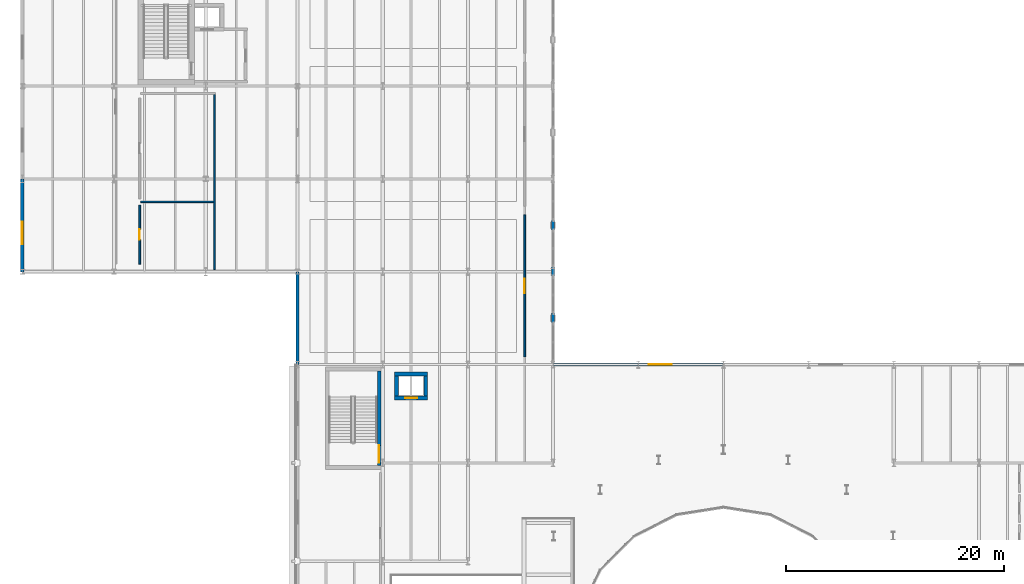
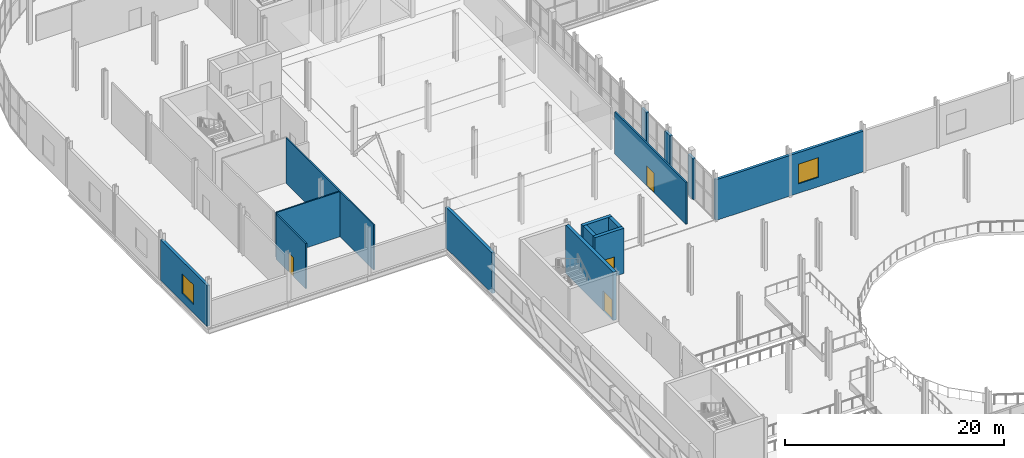
# One storey, part 51 of 78: 15 walls, 4 doors, 2 windows, 6 openings.
"""IFC4 building model written with IfcOpenShell, lengths in metres."""

from ifc_helpers import new_model, si_unit, direction, frame, frame_2d, origin, place, context, subcontext, project, spatial, rectangle, extrude, material, layer, layer_set, type_object, element, fill, save


model = new_model("IFC4")

# Units and contexts
model_context = context("Model", 3, precision=1e-05, world=origin(), true_north=direction((0.0, 1.0)))
body_context = subcontext(model_context, "Body", "Model", "MODEL_VIEW")
ifc_project = project(units=[si_unit("LENGTHUNIT", "METRE"), si_unit("AREAUNIT", "SQUARE_METRE"), si_unit("VOLUMEUNIT", "CUBIC_METRE"), si_unit("PLANEANGLEUNIT", "RADIAN"), si_unit("MASSUNIT", "GRAM", prefix="KILO")], contexts=[model_context])

# Site, building, storey
site_placement = place(None, origin())
site = spatial("IfcSite", under=ifc_project, at=site_placement, CompositionType="ELEMENT")
building_placement = place(site_placement, origin())
building = spatial("IfcBuilding", under=site, at=building_placement, Name="Sefraquen Railside Congress Hotel", CompositionType="ELEMENT")
storey_placement = place(building_placement, frame((0.0, 0.0, 6.0)))
storey = spatial("IfcBuildingStorey", under=building, at=storey_placement, Name="L01", CompositionType="ELEMENT", Elevation=6.0)

# Wall, opening, door
ifc_material_1 = material(Name="Concrete C50/60", Category="concrete")
ifc_layer_1 = layer(ifc_material_1, 0.35009765625)
ifc_layer_set_1 = layer_set([ifc_layer_1], Name="Concrete C50/60")
wall_type_1 = type_object("IfcWallType", Name="TW-CW-350", PredefinedType="SHEAR", material=ifc_layer_set_1)
wall_1_placement = place(storey_placement, frame((32.675048828125, 44.75, 0.0), z_axis=(0.0, 0.0, 1.0), x_axis=(0.0, 1.0, 0.0)))
wall_1 = element("IfcWall", 1, at=wall_1_placement, inside=storey, type_object=wall_type_1, Name="Core shear wall ST-C02 E L01", PredefinedType="SHEAR", context=body_context, shape_type="SweptSolid", body=[
    extrude(rectangle(XDim=8.679931640625, YDim=0.35009765625, at=frame_2d((4.33984375, 0.0))), origin(), (0.0, 0.0, 1.0), 5.39990234375),
])
opening_1_placement = place(wall_1_placement, frame((0.25, 0.0, 0.0)))
opening_1 = element("IfcOpeningElement", 2, at=opening_1_placement, cuts=wall_1, Name="Opening FD-02", PredefinedType="OPENING", context=body_context, shape_type="SweptSolid", body=[
    extrude(rectangle(XDim=1.60009765625, YDim=2.199951171875, at=frame_2d((0.800048828125, 1.10009765625))), frame((0.0, 0.18505859375, 0.0), z_axis=(0.0, -1.0, 0.0), x_axis=(1.0, 0.0, 0.0)), (0.0, 0.0, 1.0), 0.3701171875),
])
ifc_material_2 = material(Name="Fire-rated steel", Category="steel")
door_type_1 = type_object("IfcDoorType", Name="TD-FD-02", OperationType="NOTDEFINED", PredefinedType="DOOR", material=ifc_material_2)
door_1_placement = place(opening_1_placement, origin())
door_1 = element("IfcDoor", 3, at=door_1_placement, inside=storey, type_object=door_type_1, Name="Pressurized stair ST-C02 fire door L01", OperationType="SINGLE_SWING_LEFT", OverallHeight=2.199951171875, OverallWidth=1.60009765625, PredefinedType="DOOR", context=body_context, shape_type="SweptSolid", body=[
    extrude(rectangle(XDim=1.60009765625, YDim=2.199951171875, at=frame_2d((0.800048828125, 1.10009765625))), frame((0.0, 0.02490234375, 0.0), z_axis=(0.0, -1.0, 0.0), x_axis=(1.0, 0.0, 0.0)), (0.0, 0.0, 1.0), 0.050048828125),
])
fill(opening_1, door_1)

# Wall
wall_2_placement = place(storey_placement, frame((34.080078125, 53.14501953125, 0.0), z_axis=(0.0, 0.0, 1.0), x_axis=(1.0, 0.0, 0.0)))
element("IfcWall", 4, at=wall_2_placement, inside=storey, type_object=wall_type_1, Name="Lift PL-08 shaft wall N L01", PredefinedType="SHEAR", context=body_context, shape_type="SweptSolid", body=[
    extrude(rectangle(XDim=3.0400390625, YDim=0.35009765625, at=frame_2d((1.52001953125, 0.0))), origin(), (0.0, 0.0, 1.0), 5.050048828125),
])

# Wall, opening, door
wall_3_placement = place(storey_placement, frame((34.080078125, 50.955078125, 0.0), z_axis=(0.0, 0.0, 1.0), x_axis=(1.0, 0.0, 0.0)))
wall_3 = element("IfcWall", 5, at=wall_3_placement, inside=storey, type_object=wall_type_1, Name="Lift PL-08 shaft wall S L01", PredefinedType="SHEAR", context=body_context, shape_type="SweptSolid", body=[
    extrude(rectangle(XDim=3.0400390625, YDim=0.35009765625, at=frame_2d((1.52001953125, 0.0))), origin(), (0.0, 0.0, 1.0), 5.050048828125),
])
opening_2_placement = place(wall_3_placement, frame((0.969970703125, 0.0, 0.0)))
opening_2 = element("IfcOpeningElement", 6, at=opening_2_placement, cuts=wall_3, Name="Opening LD-01", PredefinedType="OPENING", context=body_context, shape_type="SweptSolid", body=[
    extrude(rectangle(XDim=1.10009765625, YDim=2.199951171875, at=frame_2d((0.550048828125, 1.10009765625))), frame((0.0, 0.18505859375, 0.0), z_axis=(0.0, -1.0, 0.0), x_axis=(1.0, 0.0, 0.0)), (0.0, 0.0, 1.0), 0.3701171875),
])
ifc_material_3 = material(Name="Brushed bronze stainless steel", Category="steel")
door_type_2 = type_object("IfcDoorType", Name="TD-LD-01", OperationType="NOTDEFINED", PredefinedType="DOOR", material=ifc_material_3)
door_2_placement = place(opening_2_placement, origin())
door_2 = element("IfcDoor", 7, at=door_2_placement, inside=storey, type_object=door_type_2, Name="Lift landing door PL-08 L01", OperationType="SLIDING_TO_LEFT", OverallHeight=2.199951171875, OverallWidth=1.10009765625, PredefinedType="DOOR", context=body_context, shape_type="SweptSolid", body=[
    extrude(rectangle(XDim=1.10009765625, YDim=2.199951171875, at=frame_2d((0.550048828125, 1.10009765625))), frame((0.0, 0.02490234375, 0.0), z_axis=(0.0, -1.0, 0.0), x_axis=(1.0, 0.0, 0.0)), (0.0, 0.0, 1.0), 0.050048828125),
])
fill(opening_2, door_2)

# Walls
for number, where, z_axis, x_axis, name in (
    (8, (34.2548828125, 51.1298828125, 0.0), (0.0, 0.0, 1.0), (0.0, 1.0, 0.0), "Lift PL-08 shaft wall W L01"),
    (9, (36.945068359375, 51.1298828125, 0.0), (0.0, 0.0, 1.0), (0.0, 1.0, 0.0), "Lift PL-08 shaft wall E L01"),
):
    element("IfcWall", number, at=place(storey_placement, frame(where, z_axis=z_axis, x_axis=x_axis)), inside=storey, type_object=wall_type_1, Name=name, PredefinedType="SHEAR", context=body_context, shape_type="SweptSolid", body=[
        extrude(rectangle(XDim=1.840087890625, YDim=0.35009765625, at=frame_2d((0.919921875, 0.0))), origin(), (0.0, 0.0, 1.0), 5.050048828125),
    ])

# Wall, opening, window
ifc_material_4 = material(Name="Ochre Rabat calcarenite limestone and Concrete C40/50 backing", Category="masonry")
ifc_layer_2 = layer(ifc_material_4, 0.280029296875)
ifc_layer_set_2 = layer_set([ifc_layer_2], Name="Ochre Rabat calcarenite limestone and Concrete C40/50 backing")
wall_type_2 = type_object("IfcWallType", Name="TW-EW-280", PredefinedType="STANDARD", material=ifc_layer_set_2)
wall_4_placement = place(storey_placement, frame((48.60009765625, 54.0, 0.0), z_axis=(0.0, 0.0, 1.0), x_axis=(1.0, 0.0, 0.0)))
wall_4 = element("IfcWall", 10, at=wall_4_placement, inside=storey, type_object=wall_type_2, Name="Congress Hall L01 courtyard north facade wall 1", PredefinedType="STANDARD", context=body_context, shape_type="SweptSolid", body=[
    extrude(rectangle(XDim=15.599853515625, YDim=0.280029296875, at=frame_2d((7.7998046875, 0.0))), origin(), (0.0, 0.0, 1.0), 4.5400390625),
])
opening_3_placement = place(wall_4_placement, frame((8.75, 0.0, 1.050048828125)))
opening_3 = element("IfcOpeningElement", 11, at=opening_3_placement, cuts=wall_4, Name="Opening WN-07", PredefinedType="OPENING", context=body_context, shape_type="SweptSolid", body=[
    extrude(rectangle(XDim=2.10009765625, YDim=2.199951171875, at=frame_2d((1.050048828125, 1.10009765625))), frame((0.0, 0.14990234375, 0.0), z_axis=(0.0, -1.0, 0.0), x_axis=(1.0, 0.0, 0.0)), (0.0, 0.0, 1.0), 0.300048828125),
])
ifc_material_5 = material(Name="Solar-control low-E double glazing in bronze-anodised frame", Category="glass")
window_type = type_object("IfcWindowType", Name="TWN-W-07", PartitioningType="DOUBLE_PANEL_VERTICAL", PredefinedType="WINDOW", material=ifc_material_5)
window_1_placement = place(opening_3_placement, origin())
window_1 = element("IfcWindow", 12, at=window_1_placement, inside=storey, type_object=window_type, Name="Congress courtyard north window L01-1", OverallHeight=2.199951171875, OverallWidth=2.10009765625, PartitioningType="DOUBLE_PANEL_VERTICAL", PredefinedType="WINDOW", context=body_context, shape_type="SweptSolid", body=[
    extrude(rectangle(XDim=2.10009765625, YDim=2.199951171875, at=frame_2d((1.050048828125, 1.10009765625))), frame((0.0, 0.030029296875, 0.0), z_axis=(0.0, -1.0, 0.0), x_axis=(1.0, 0.0, 0.0)), (0.0, 0.0, 1.0), 0.06005859375),
])
fill(opening_3, window_1)

# Walls
for number, where, z_axis, x_axis, name in (
    (13, (48.60009765625, 57.77001953125, 0.0), (0.0, 0.0, 1.0), (0.0, 1.0, 0.0), "Courtyard west gallery curtain wall L01 column pier closure 1"),
    (14, (48.60009765625, 62.02001953125, 0.0), (0.0, 0.0, 1.0), (0.0, 1.0, 0.0), "Courtyard west gallery curtain wall L01 column pier closure 2"),
    (15, (48.60009765625, 66.27001953125, 0.0), (0.0, 0.0, 1.0), (0.0, 1.0, 0.0), "Courtyard west gallery curtain wall L01 column pier closure 3"),
):
    element("IfcWall", number, at=place(storey_placement, frame(where, z_axis=z_axis, x_axis=x_axis)), inside=storey, type_object=wall_type_2, Name=name, PredefinedType="STANDARD", context=body_context, shape_type="SweptSolid", body=[
        extrude(rectangle(XDim=0.9599609375, YDim=0.260009765625, at=frame_2d((0.47998046875, 0.0))), origin(), (0.0, 0.0, 1.0), 4.550048828125),
    ])
ifc_layer_3 = layer(ifc_material_4, 0.300048828125)
ifc_layer_set_3 = layer_set([ifc_layer_3], Name="Ochre Rabat calcarenite limestone and Concrete C40/50 backing")
wall_type_3 = type_object("IfcWallType", Name="TW-EW-300", PredefinedType="STANDARD", material=ifc_layer_set_3)
wall_5_placement = place(storey_placement, frame((25.199951171875, 54.0, 0.0), z_axis=(0.0, 0.0, 1.0), x_axis=(0.0, 1.0, 0.0)))
element("IfcWall", 16, at=wall_5_placement, inside=storey, type_object=wall_type_3, Name="West Foyer L01 forecourt wall", PredefinedType="STANDARD", context=body_context, shape_type="SweptSolid", body=[
    extrude(rectangle(XDim=8.5, YDim=0.300048828125, at=frame_2d((4.25, 0.0))), origin(), (0.0, 0.0, 1.0), 4.550048828125),
])

# Wall, opening, window
wall_6_placement = place(storey_placement, frame((0.0, 62.5, 0.0), z_axis=(0.0, 0.0, 1.0), x_axis=(0.0, 1.0, 0.0)))
wall_6 = element("IfcWall", 17, at=wall_6_placement, inside=storey, type_object=wall_type_3, Name="Hotel L01 West Forecourt facade wall", PredefinedType="STANDARD", context=body_context, shape_type="SweptSolid", body=[
    extrude(rectangle(XDim=8.5, YDim=0.300048828125, at=frame_2d((4.25, 0.0))), origin(), (0.0, 0.0, 1.0), 4.550048828125),
])
opening_4_placement = place(wall_6_placement, frame((2.5, 0.0, 0.949951171875)))
opening_4 = element("IfcOpeningElement", 18, at=opening_4_placement, cuts=wall_6, Name="Opening WN-07", PredefinedType="OPENING", context=body_context, shape_type="SweptSolid", body=[
    extrude(rectangle(XDim=2.10009765625, YDim=2.199951171875, at=frame_2d((1.050048828125, 1.10009765625))), frame((0.0, 0.159912109375, 0.0), z_axis=(0.0, -1.0, 0.0), x_axis=(1.0, 0.0, 0.0)), (0.0, 0.0, 1.0), 0.320068359375),
])
window_2_placement = place(opening_4_placement, origin())
window_2 = element("IfcWindow", 19, at=window_2_placement, inside=storey, type_object=window_type, Name="Hotel L01 west window", OverallHeight=2.199951171875, OverallWidth=2.10009765625, PartitioningType="DOUBLE_PANEL_VERTICAL", PredefinedType="WINDOW", context=body_context, shape_type="SweptSolid", body=[
    extrude(rectangle(XDim=2.10009765625, YDim=2.199951171875, at=frame_2d((1.050048828125, 1.10009765625))), frame((0.0, 0.030029296875, 0.0), z_axis=(0.0, -1.0, 0.0), x_axis=(1.0, 0.0, 0.0)), (0.0, 0.0, 1.0), 0.06005859375),
])
fill(opening_4, window_2)

# Walls
ifc_material_6 = material(Name="Moisture-resistant gypsum board", Category="gypsum")
ifc_layer_4 = layer(ifc_material_6, 0.139892578125)
ifc_layer_set_4 = layer_set([ifc_layer_4], Name="Moisture-resistant gypsum board")
wall_type_4 = type_object("IfcWallType", Name="TW-PW-140", PredefinedType="PARTITIONING", material=ifc_layer_set_4)
wall_7_placement = place(storey_placement, frame((10.830078125, 68.89990234375, 0.0), z_axis=(0.0, 0.0, 1.0), x_axis=(1.0, 0.0, 0.0)))
element("IfcWall", 20, at=wall_7_placement, inside=storey, type_object=wall_type_4, Name="Hotel L01 accessible and staff WC dividing partition", PredefinedType="PARTITIONING", context=body_context, shape_type="SweptSolid", body=[
    extrude(rectangle(XDim=6.719970703125, YDim=0.139892578125, at=frame_2d((3.35986328125, 0.0))), origin(), (0.0, 0.0, 1.0), 5.050048828125),
])
wall_8_placement = place(storey_placement, frame((17.6201171875, 62.699951171875, 0.0), z_axis=(0.0, 0.0, 1.0), x_axis=(0.0, 1.0, 0.0)))
element("IfcWall", 21, at=wall_8_placement, inside=storey, type_object=wall_type_4, Name="Hotel L01 sanitary block east enclosure partition", PredefinedType="PARTITIONING", context=body_context, shape_type="SweptSolid", body=[
    extrude(rectangle(XDim=16.050048828125, YDim=0.139892578125, at=frame_2d((8.02490234375, 0.0))), origin(), (0.0, 0.0, 1.0), 5.050048828125),
])

# Wall, opening, door
ifc_layer_5 = layer(ifc_material_6, 0.159912109375)
ifc_layer_set_5 = layer_set([ifc_layer_5], Name="Moisture-resistant gypsum board")
wall_type_5 = type_object("IfcWallType", Name="TW-PW-160", PredefinedType="PARTITIONING", material=ifc_layer_set_5)
wall_9_placement = place(storey_placement, frame((46.0, 54.699951171875, 0.0), z_axis=(0.0, 0.0, 1.0), x_axis=(0.0, 1.0, 0.0)))
wall_9 = element("IfcWall", 22, at=wall_9_placement, inside=storey, type_object=wall_type_5, Name="Conference Suite 01 enclosure wall", PredefinedType="PARTITIONING", context=body_context, shape_type="SweptSolid", body=[
    extrude(rectangle(XDim=13.0, YDim=0.159912109375, at=frame_2d((6.5, 0.0))), origin(), (0.0, 0.0, 1.0), 4.7099609375),
])
opening_5_placement = place(wall_9_placement, frame((5.85009765625, 0.0, 0.0)))
opening_5 = element("IfcOpeningElement", 23, at=opening_5_placement, cuts=wall_9, Name="Opening MD-02", PredefinedType="OPENING", context=body_context, shape_type="SweptSolid", body=[
    extrude(rectangle(XDim=1.300048828125, YDim=2.199951171875, at=frame_2d((0.64990234375, 1.10009765625))), frame((0.0, 0.08984375, 0.0), z_axis=(0.0, -1.0, 0.0), x_axis=(1.0, 0.0, 0.0)), (0.0, 0.0, 1.0), 0.179931640625),
])
ifc_material_7 = material(Name="Acoustic cedar veneer", Category="wood")
door_type_3 = type_object("IfcDoorType", Name="TD-MD-02", OperationType="NOTDEFINED", PredefinedType="DOOR", material=ifc_material_7)
door_3_placement = place(opening_5_placement, origin())
door_3 = element("IfcDoor", 24, at=door_3_placement, inside=storey, type_object=door_type_3, Name="Conference Suite 01 entrance door", OperationType="SINGLE_SWING_LEFT", OverallHeight=2.199951171875, OverallWidth=1.300048828125, PredefinedType="DOOR", context=body_context, shape_type="SweptSolid", body=[
    extrude(rectangle(XDim=1.300048828125, YDim=2.199951171875, at=frame_2d((0.64990234375, 1.10009765625))), frame((0.0, 0.02490234375, 0.0), z_axis=(0.0, -1.0, 0.0), x_axis=(1.0, 0.0, 0.0)), (0.0, 0.0, 1.0), 0.050048828125),
])
fill(opening_5, door_3)

wall_10_placement = place(storey_placement, frame((10.75, 63.199951171875, 0.0), z_axis=(0.0, 0.0, 1.0), x_axis=(0.0, 1.0, 0.0)))
wall_10 = element("IfcWall", 25, at=wall_10_placement, inside=storey, type_object=wall_type_5, Name="Hotel L01 Public Accessible WC enclosure wall", PredefinedType="PARTITIONING", context=body_context, shape_type="SweptSolid", body=[
    extrude(rectangle(XDim=5.400146484375, YDim=0.159912109375, at=frame_2d((2.7001953125, 0.0))), origin(), (0.0, 0.0, 1.0), 5.050048828125),
])
opening_6_placement = place(wall_10_placement, frame((2.22998046875, 0.0, 0.0)))
opening_6 = element("IfcOpeningElement", 26, at=opening_6_placement, cuts=wall_10, Name="Opening ID-01", PredefinedType="OPENING", context=body_context, shape_type="SweptSolid", body=[
    extrude(rectangle(XDim=0.93994140625, YDim=2.14990234375, at=frame_2d((0.469970703125, 1.074951171875))), frame((0.0, 0.08984375, 0.0), z_axis=(0.0, -1.0, 0.0), x_axis=(1.0, 0.0, 0.0)), (0.0, 0.0, 1.0), 0.179931640625),
])
ifc_material_8 = material(Name="Lacquered cedar joinery", Category="wood")
door_type_4 = type_object("IfcDoorType", Name="TD-ID-01", OperationType="NOTDEFINED", PredefinedType="DOOR", material=ifc_material_8)
door_4_placement = place(opening_6_placement, origin())
door_4 = element("IfcDoor", 27, at=door_4_placement, inside=storey, type_object=door_type_4, Name="Hotel L01 Public Accessible WC entrance door", OperationType="SINGLE_SWING_RIGHT", OverallHeight=2.14990234375, OverallWidth=0.93994140625, PredefinedType="DOOR", context=body_context, shape_type="SweptSolid", body=[
    extrude(rectangle(XDim=0.93994140625, YDim=2.14990234375, at=frame_2d((0.469970703125, 1.074951171875))), frame((0.0, 0.02490234375, 0.0), z_axis=(0.0, -1.0, 0.0), x_axis=(1.0, 0.0, 0.0)), (0.0, 0.0, 1.0), 0.050048828125),
])
fill(opening_6, door_4)

save(model, "model.ifc")
